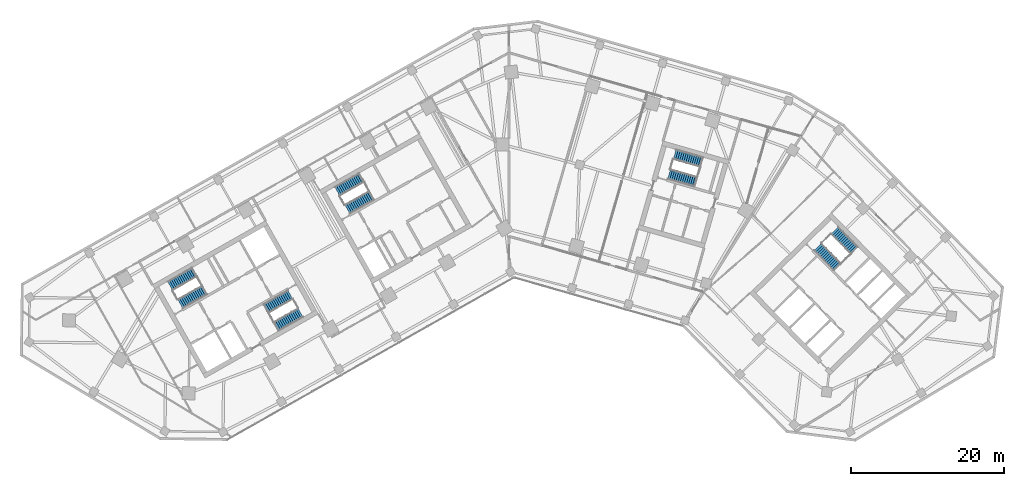
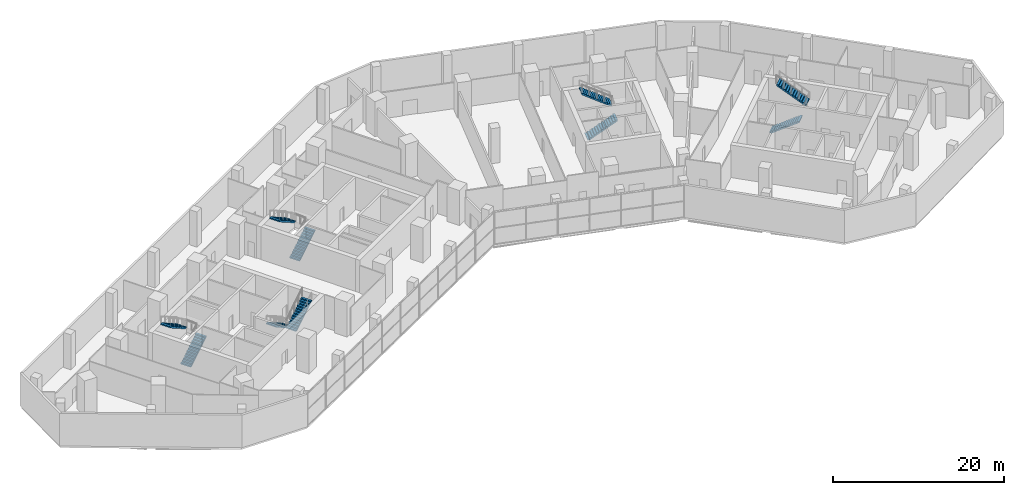
# One storey, part 13 of 15: 10 stair flights, 5 elements without a shape of their own.
"""IFC4 building model written with IfcOpenShell, lengths in metres."""

from ifc_helpers import new_model, si_unit, direction, frame, origin, place, context, subcontext, project, spatial, polyline, outline, extrude, material, type_object, element, aggregate, save


model = new_model("IFC4")

# Units and contexts
model_context = context("Model", 3, precision=1e-05, world=origin(), true_north=direction((0.0, 1.0)))
body_context = subcontext(model_context, "Body", "Model", "MODEL_VIEW")
ifc_project = project(units=[si_unit("LENGTHUNIT", "METRE"), si_unit("AREAUNIT", "SQUARE_METRE"), si_unit("VOLUMEUNIT", "CUBIC_METRE"), si_unit("PLANEANGLEUNIT", "RADIAN"), si_unit("MASSUNIT", "GRAM", prefix="KILO")], contexts=[model_context])

# Site, building, storey
site_placement = place(None, origin())
site = spatial("IfcSite", under=ifc_project, at=site_placement, CompositionType="ELEMENT")
building_placement = place(site_placement, origin())
building = spatial("IfcBuilding", under=site, at=building_placement, Name="Binnacle Exchange Tower", CompositionType="ELEMENT")
storey_placement = place(building_placement, frame((0.0, 0.0, 16.5)))
storey = spatial("IfcBuildingStorey", under=building, at=storey_placement, Name="L03", CompositionType="ELEMENT", Elevation=16.5)

# Stair, stair flights
ifc_material = material(Name="Concrete C35/45", Category="concrete")
stair_type = type_object("IfcStairType", Name="STAIR 28 RISERS 179", PredefinedType="HALF_TURN_STAIR", material=ifc_material)
stair_1_placement = place(storey_placement, origin())
stair_1 = element("IfcStair", 1, at=stair_1_placement, inside=storey, type_object=stair_type, Name="L03 Escape stair A1", PredefinedType="HALF_TURN_STAIR")
stair_flight_type = type_object("IfcStairFlightType", Name="STAIR FLIGHT 179X280", PredefinedType="STRAIGHT", material=ifc_material)
stair_flight_1_placement = place(storey_placement, frame((-42.9541015625, 39.17333984375, 0.0), z_axis=(0.0, 0.0, 1.0), x_axis=(0.870355584213, 0.492423757581, 0.0)))
stair_flight_1 = element("IfcStairFlight", 2, at=stair_flight_1_placement, type_object=stair_flight_type, Name="STA1 flight 1", NumberOfRisers=14, NumberOfTreads=13, PredefinedType="STRAIGHT", RiserHeight=0.178571429, TreadLength=0.28, context=body_context, shape_type="SweptSolid", body=[
    extrude(outline(polyline([(0.0, 0.0), (0.0, 0.178466796875), (0.280029296875, 0.178466796875), (0.280029296875, 0.357177734375), (0.56005859375, 0.357177734375), (0.56005859375, 0.53564453125), (0.840087890625, 0.53564453125), (0.840087890625, 0.71435546875), (1.1201171875, 0.71435546875), (1.1201171875, 0.892822265625), (1.39990234375, 0.892822265625), (1.39990234375, 1.071533203125), (1.679931640625, 1.071533203125), (1.679931640625, 1.25), (1.9599609375, 1.25), (1.9599609375, 1.428466796875), (2.239990234375, 1.428466796875), (2.239990234375, 1.607177734375), (2.52001953125, 1.607177734375), (2.52001953125, 1.78564453125), (2.800048828125, 1.78564453125), (2.800048828125, 1.96435546875), (3.080078125, 1.96435546875), (3.080078125, 2.142822265625), (3.360107421875, 2.142822265625), (3.360107421875, 2.321533203125), (3.639892578125, 2.321533203125), (3.639892578125, 2.5), (3.639892578125, 2.1435546875), (0.27880859375, 0.0), (0.0, 0.0)])), frame((0.0, 0.675048828125, 0.0), z_axis=(0.0, -1.0, 0.0), x_axis=(1.0, 0.0, 0.0)), (0.0, 0.0, 1.0), 1.35009765625),
])
stair_flight_2_placement = place(storey_placement, frame((-41.115478515625, 43.315673828125, 2.5), z_axis=(0.0, 0.0, 1.0), x_axis=(-0.870355584213, -0.492423757581, 0.0)))
stair_flight_2 = element("IfcStairFlight", 3, at=stair_flight_2_placement, type_object=stair_flight_type, Name="STA1 flight 2", NumberOfRisers=14, NumberOfTreads=13, PredefinedType="STRAIGHT", RiserHeight=0.178571429, TreadLength=0.28, context=body_context, shape_type="SweptSolid", body=[
    extrude(outline(polyline([(0.0, 0.0), (0.0, 0.178466796875), (0.280029296875, 0.178466796875), (0.280029296875, 0.357177734375), (0.56005859375, 0.357177734375), (0.56005859375, 0.53564453125), (0.840087890625, 0.53564453125), (0.840087890625, 0.71435546875), (1.1201171875, 0.71435546875), (1.1201171875, 0.892822265625), (1.39990234375, 0.892822265625), (1.39990234375, 1.071533203125), (1.679931640625, 1.071533203125), (1.679931640625, 1.25), (1.9599609375, 1.25), (1.9599609375, 1.428466796875), (2.239990234375, 1.428466796875), (2.239990234375, 1.607177734375), (2.52001953125, 1.607177734375), (2.52001953125, 1.78564453125), (2.800048828125, 1.78564453125), (2.800048828125, 1.96435546875), (3.080078125, 1.96435546875), (3.080078125, 2.142822265625), (3.360107421875, 2.142822265625), (3.360107421875, 2.321533203125), (3.639892578125, 2.321533203125), (3.639892578125, 2.5), (3.639892578125, 2.1435546875), (0.27880859375, 0.0), (0.0, 0.0)])), frame((0.0, 0.675048828125, 0.0), z_axis=(0.0, -1.0, 0.0), x_axis=(1.0, 0.0, 0.0)), (0.0, 0.0, 1.0), 1.35009765625),
])
aggregate(stair_1, [stair_flight_1, stair_flight_2])

stair_2_placement = place(storey_placement, origin())
stair_2 = element("IfcStair", 4, at=stair_2_placement, inside=storey, type_object=stair_type, Name="L03 Escape stair A2", PredefinedType="HALF_TURN_STAIR")
stair_flight_3_placement = place(storey_placement, frame((-28.5732421875, 40.3583984375, 0.0), z_axis=(0.0, 0.0, 1.0), x_axis=(-0.870355584213, -0.492423757581, 0.0)))
stair_flight_3 = element("IfcStairFlight", 5, at=stair_flight_3_placement, type_object=stair_flight_type, Name="STA2 flight 1", NumberOfRisers=14, NumberOfTreads=13, PredefinedType="STRAIGHT", RiserHeight=0.178571429, TreadLength=0.28, context=body_context, shape_type="SweptSolid", body=[
    extrude(outline(polyline([(0.0, 0.0), (0.0, 0.178466796875), (0.280029296875, 0.178466796875), (0.280029296875, 0.357177734375), (0.56005859375, 0.357177734375), (0.56005859375, 0.53564453125), (0.840087890625, 0.53564453125), (0.840087890625, 0.71435546875), (1.1201171875, 0.71435546875), (1.1201171875, 0.892822265625), (1.39990234375, 0.892822265625), (1.39990234375, 1.071533203125), (1.679931640625, 1.071533203125), (1.679931640625, 1.25), (1.9599609375, 1.25), (1.9599609375, 1.428466796875), (2.239990234375, 1.428466796875), (2.239990234375, 1.607177734375), (2.52001953125, 1.607177734375), (2.52001953125, 1.78564453125), (2.800048828125, 1.78564453125), (2.800048828125, 1.96435546875), (3.080078125, 1.96435546875), (3.080078125, 2.142822265625), (3.360107421875, 2.142822265625), (3.360107421875, 2.321533203125), (3.639892578125, 2.321533203125), (3.639892578125, 2.5), (3.639892578125, 2.1435546875), (0.27880859375, 0.0), (0.0, 0.0)])), frame((0.0, 0.675048828125, 0.0), z_axis=(0.0, -1.0, 0.0), x_axis=(1.0, 0.0, 0.0)), (0.0, 0.0, 1.0), 1.35009765625),
])
stair_flight_4_placement = place(storey_placement, frame((-30.411865234375, 36.216064453125, 2.5), z_axis=(0.0, 0.0, 1.0), x_axis=(0.870355584213, 0.492423757581, 0.0)))
stair_flight_4 = element("IfcStairFlight", 6, at=stair_flight_4_placement, type_object=stair_flight_type, Name="STA2 flight 2", NumberOfRisers=14, NumberOfTreads=13, PredefinedType="STRAIGHT", RiserHeight=0.178571429, TreadLength=0.28, context=body_context, shape_type="SweptSolid", body=[
    extrude(outline(polyline([(0.0, 0.0), (0.0, 0.178466796875), (0.280029296875, 0.178466796875), (0.280029296875, 0.357177734375), (0.56005859375, 0.357177734375), (0.56005859375, 0.53564453125), (0.840087890625, 0.53564453125), (0.840087890625, 0.71435546875), (1.1201171875, 0.71435546875), (1.1201171875, 0.892822265625), (1.39990234375, 0.892822265625), (1.39990234375, 1.071533203125), (1.679931640625, 1.071533203125), (1.679931640625, 1.25), (1.9599609375, 1.25), (1.9599609375, 1.428466796875), (2.239990234375, 1.428466796875), (2.239990234375, 1.607177734375), (2.52001953125, 1.607177734375), (2.52001953125, 1.78564453125), (2.800048828125, 1.78564453125), (2.800048828125, 1.96435546875), (3.080078125, 1.96435546875), (3.080078125, 2.142822265625), (3.360107421875, 2.142822265625), (3.360107421875, 2.321533203125), (3.639892578125, 2.321533203125), (3.639892578125, 2.5), (3.639892578125, 2.1435546875), (0.27880859375, 0.0), (0.0, 0.0)])), frame((0.0, 0.675048828125, 0.0), z_axis=(0.0, -1.0, 0.0), x_axis=(1.0, 0.0, 0.0)), (0.0, 0.0, 1.0), 1.35009765625),
])
aggregate(stair_2, [stair_flight_3, stair_flight_4])

stair_3_placement = place(storey_placement, origin())
stair_3 = element("IfcStair", 7, at=stair_3_placement, inside=storey, type_object=stair_type, Name="L03 Escape stair B1", PredefinedType="HALF_TURN_STAIR")
stair_flight_5_placement = place(storey_placement, frame((40.376708984375, 46.608642578125, 0.0), z_axis=(0.0, 0.0, 1.0), x_axis=(0.70090935144, -0.713250363522, 0.0)))
stair_flight_5 = element("IfcStairFlight", 8, at=stair_flight_5_placement, type_object=stair_flight_type, Name="STB1 flight 1", NumberOfRisers=14, NumberOfTreads=13, PredefinedType="STRAIGHT", RiserHeight=0.178571429, TreadLength=0.28, context=body_context, shape_type="SweptSolid", body=[
    extrude(outline(polyline([(0.0, 0.0), (0.0, 0.178466796875), (0.280029296875, 0.178466796875), (0.280029296875, 0.357177734375), (0.56005859375, 0.357177734375), (0.56005859375, 0.53564453125), (0.840087890625, 0.53564453125), (0.840087890625, 0.71435546875), (1.1201171875, 0.71435546875), (1.1201171875, 0.892822265625), (1.39990234375, 0.892822265625), (1.39990234375, 1.071533203125), (1.679931640625, 1.071533203125), (1.679931640625, 1.25), (1.9599609375, 1.25), (1.9599609375, 1.428466796875), (2.239990234375, 1.428466796875), (2.239990234375, 1.607177734375), (2.52001953125, 1.607177734375), (2.52001953125, 1.78564453125), (2.800048828125, 1.78564453125), (2.800048828125, 1.96435546875), (3.080078125, 1.96435546875), (3.080078125, 2.142822265625), (3.360107421875, 2.142822265625), (3.360107421875, 2.321533203125), (3.639892578125, 2.321533203125), (3.639892578125, 2.5), (3.639892578125, 2.1435546875), (0.27880859375, 0.0), (0.0, 0.0)])), frame((0.0, 0.675048828125, 0.0), z_axis=(0.0, -1.0, 0.0), x_axis=(1.0, 0.0, 0.0)), (0.0, 0.0, 1.0), 1.35009765625),
])
stair_flight_6_placement = place(storey_placement, frame((45.13916015625, 46.185302734375, 2.5), z_axis=(0.0, 0.0, 1.0), x_axis=(-0.70090935144, 0.713250363522, 0.0)))
stair_flight_6 = element("IfcStairFlight", 9, at=stair_flight_6_placement, type_object=stair_flight_type, Name="STB1 flight 2", NumberOfRisers=14, NumberOfTreads=13, PredefinedType="STRAIGHT", RiserHeight=0.178571429, TreadLength=0.28, context=body_context, shape_type="SweptSolid", body=[
    extrude(outline(polyline([(0.0, 0.0), (0.0, 0.178466796875), (0.280029296875, 0.178466796875), (0.280029296875, 0.357177734375), (0.56005859375, 0.357177734375), (0.56005859375, 0.53564453125), (0.840087890625, 0.53564453125), (0.840087890625, 0.71435546875), (1.1201171875, 0.71435546875), (1.1201171875, 0.892822265625), (1.39990234375, 0.892822265625), (1.39990234375, 1.071533203125), (1.679931640625, 1.071533203125), (1.679931640625, 1.25), (1.9599609375, 1.25), (1.9599609375, 1.428466796875), (2.239990234375, 1.428466796875), (2.239990234375, 1.607177734375), (2.52001953125, 1.607177734375), (2.52001953125, 1.78564453125), (2.800048828125, 1.78564453125), (2.800048828125, 1.96435546875), (3.080078125, 1.96435546875), (3.080078125, 2.142822265625), (3.360107421875, 2.142822265625), (3.360107421875, 2.321533203125), (3.639892578125, 2.321533203125), (3.639892578125, 2.5), (3.639892578125, 2.1435546875), (0.27880859375, 0.0), (0.0, 0.0)])), frame((0.0, 0.675048828125, 0.0), z_axis=(0.0, -1.0, 0.0), x_axis=(1.0, 0.0, 0.0)), (0.0, 0.0, 1.0), 1.35009765625),
])
aggregate(stair_3, [stair_flight_5, stair_flight_6])

stair_4_placement = place(storey_placement, origin())
stair_4 = element("IfcStair", 10, at=stair_4_placement, inside=storey, type_object=stair_type, Name="L03 Escape stair C1", PredefinedType="HALF_TURN_STAIR")
stair_flight_7_placement = place(storey_placement, frame((-21.115966796875, 51.528564453125, 0.0), z_axis=(0.0, 0.0, 1.0), x_axis=(0.870355584213, 0.492423757581, 0.0)))
stair_flight_7 = element("IfcStairFlight", 11, at=stair_flight_7_placement, type_object=stair_flight_type, Name="STC1 flight 1", NumberOfRisers=14, NumberOfTreads=13, PredefinedType="STRAIGHT", RiserHeight=0.178571429, TreadLength=0.28, context=body_context, shape_type="SweptSolid", body=[
    extrude(outline(polyline([(0.0, 0.0), (0.0, 0.178466796875), (0.280029296875, 0.178466796875), (0.280029296875, 0.357177734375), (0.56005859375, 0.357177734375), (0.56005859375, 0.53564453125), (0.840087890625, 0.53564453125), (0.840087890625, 0.71435546875), (1.1201171875, 0.71435546875), (1.1201171875, 0.892822265625), (1.39990234375, 0.892822265625), (1.39990234375, 1.071533203125), (1.679931640625, 1.071533203125), (1.679931640625, 1.25), (1.9599609375, 1.25), (1.9599609375, 1.428466796875), (2.239990234375, 1.428466796875), (2.239990234375, 1.607177734375), (2.52001953125, 1.607177734375), (2.52001953125, 1.78564453125), (2.800048828125, 1.78564453125), (2.800048828125, 1.96435546875), (3.080078125, 1.96435546875), (3.080078125, 2.142822265625), (3.360107421875, 2.142822265625), (3.360107421875, 2.321533203125), (3.639892578125, 2.321533203125), (3.639892578125, 2.5), (3.639892578125, 2.1435546875), (0.27880859375, 0.0), (0.0, 0.0)])), frame((0.0, 0.675048828125, 0.0), z_axis=(0.0, -1.0, 0.0), x_axis=(1.0, 0.0, 0.0)), (0.0, 0.0, 1.0), 1.35009765625),
])
stair_flight_8_placement = place(storey_placement, frame((-19.27734375, 55.671142578125, 2.5), z_axis=(0.0, 0.0, 1.0), x_axis=(-0.870355584213, -0.492423757581, 0.0)))
stair_flight_8 = element("IfcStairFlight", 12, at=stair_flight_8_placement, type_object=stair_flight_type, Name="STC1 flight 2", NumberOfRisers=14, NumberOfTreads=13, PredefinedType="STRAIGHT", RiserHeight=0.178571429, TreadLength=0.28, context=body_context, shape_type="SweptSolid", body=[
    extrude(outline(polyline([(0.0, 0.0), (0.0, 0.178466796875), (0.280029296875, 0.178466796875), (0.280029296875, 0.357177734375), (0.56005859375, 0.357177734375), (0.56005859375, 0.53564453125), (0.840087890625, 0.53564453125), (0.840087890625, 0.71435546875), (1.1201171875, 0.71435546875), (1.1201171875, 0.892822265625), (1.39990234375, 0.892822265625), (1.39990234375, 1.071533203125), (1.679931640625, 1.071533203125), (1.679931640625, 1.25), (1.9599609375, 1.25), (1.9599609375, 1.428466796875), (2.239990234375, 1.428466796875), (2.239990234375, 1.607177734375), (2.52001953125, 1.607177734375), (2.52001953125, 1.78564453125), (2.800048828125, 1.78564453125), (2.800048828125, 1.96435546875), (3.080078125, 1.96435546875), (3.080078125, 2.142822265625), (3.360107421875, 2.142822265625), (3.360107421875, 2.321533203125), (3.639892578125, 2.321533203125), (3.639892578125, 2.5), (3.639892578125, 2.1435546875), (0.27880859375, 0.0), (0.0, 0.0)])), frame((0.0, 0.675048828125, 0.0), z_axis=(0.0, -1.0, 0.0), x_axis=(1.0, 0.0, 0.0)), (0.0, 0.0, 1.0), 1.35009765625),
])
aggregate(stair_4, [stair_flight_7, stair_flight_8])

stair_5_placement = place(storey_placement, origin())
stair_5 = element("IfcStair", 13, at=stair_5_placement, inside=storey, type_object=stair_type, Name="L03 Escape stair D1", PredefinedType="HALF_TURN_STAIR")
stair_flight_9_placement = place(storey_placement, frame((20.914306640625, 56.109619140625, 0.0), z_axis=(0.0, 0.0, 1.0), x_axis=(0.961261811397, -0.275636953165, 0.0)))
stair_flight_9 = element("IfcStairFlight", 14, at=stair_flight_9_placement, type_object=stair_flight_type, Name="STD1 flight 1", NumberOfRisers=14, NumberOfTreads=13, PredefinedType="STRAIGHT", RiserHeight=0.178571429, TreadLength=0.28, context=body_context, shape_type="SweptSolid", body=[
    extrude(outline(polyline([(0.0, 0.0), (0.0, 0.178466796875), (0.280029296875, 0.178466796875), (0.280029296875, 0.357177734375), (0.56005859375, 0.357177734375), (0.56005859375, 0.53564453125), (0.840087890625, 0.53564453125), (0.840087890625, 0.71435546875), (1.1201171875, 0.71435546875), (1.1201171875, 0.892822265625), (1.39990234375, 0.892822265625), (1.39990234375, 1.071533203125), (1.679931640625, 1.071533203125), (1.679931640625, 1.25), (1.9599609375, 1.25), (1.9599609375, 1.428466796875), (2.239990234375, 1.428466796875), (2.239990234375, 1.607177734375), (2.52001953125, 1.607177734375), (2.52001953125, 1.78564453125), (2.800048828125, 1.78564453125), (2.800048828125, 1.96435546875), (3.080078125, 1.96435546875), (3.080078125, 2.142822265625), (3.360107421875, 2.142822265625), (3.360107421875, 2.321533203125), (3.639892578125, 2.321533203125), (3.639892578125, 2.5), (3.639892578125, 2.1435546875), (0.27880859375, 0.0), (0.0, 0.0)])), frame((0.0, 0.675048828125, 0.0), z_axis=(0.0, -1.0, 0.0), x_axis=(1.0, 0.0, 0.0)), (0.0, 0.0, 1.0), 1.35009765625),
])
stair_flight_10_placement = place(storey_placement, frame((25.157470703125, 57.70166015625, 2.5), z_axis=(0.0, 0.0, 1.0), x_axis=(-0.961261811397, 0.275636953165, 0.0)))
stair_flight_10 = element("IfcStairFlight", 15, at=stair_flight_10_placement, type_object=stair_flight_type, Name="STD1 flight 2", NumberOfRisers=14, NumberOfTreads=13, PredefinedType="STRAIGHT", RiserHeight=0.178571429, TreadLength=0.28, context=body_context, shape_type="SweptSolid", body=[
    extrude(outline(polyline([(0.0, 0.0), (0.0, 0.178466796875), (0.280029296875, 0.178466796875), (0.280029296875, 0.357177734375), (0.56005859375, 0.357177734375), (0.56005859375, 0.53564453125), (0.840087890625, 0.53564453125), (0.840087890625, 0.71435546875), (1.1201171875, 0.71435546875), (1.1201171875, 0.892822265625), (1.39990234375, 0.892822265625), (1.39990234375, 1.071533203125), (1.679931640625, 1.071533203125), (1.679931640625, 1.25), (1.9599609375, 1.25), (1.9599609375, 1.428466796875), (2.239990234375, 1.428466796875), (2.239990234375, 1.607177734375), (2.52001953125, 1.607177734375), (2.52001953125, 1.78564453125), (2.800048828125, 1.78564453125), (2.800048828125, 1.96435546875), (3.080078125, 1.96435546875), (3.080078125, 2.142822265625), (3.360107421875, 2.142822265625), (3.360107421875, 2.321533203125), (3.639892578125, 2.321533203125), (3.639892578125, 2.5), (3.639892578125, 2.1435546875), (0.27880859375, 0.0), (0.0, 0.0)])), frame((0.0, 0.675048828125, 0.0), z_axis=(0.0, -1.0, 0.0), x_axis=(1.0, 0.0, 0.0)), (0.0, 0.0, 1.0), 1.35009765625),
])
aggregate(stair_5, [stair_flight_9, stair_flight_10])

save(model, "model.ifc")
